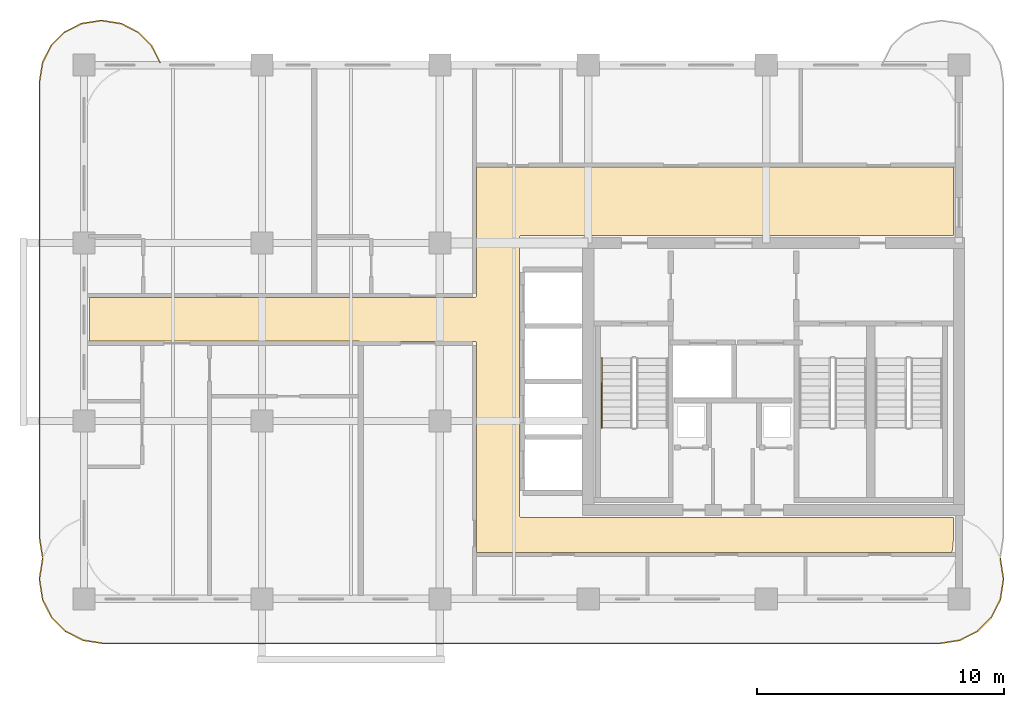
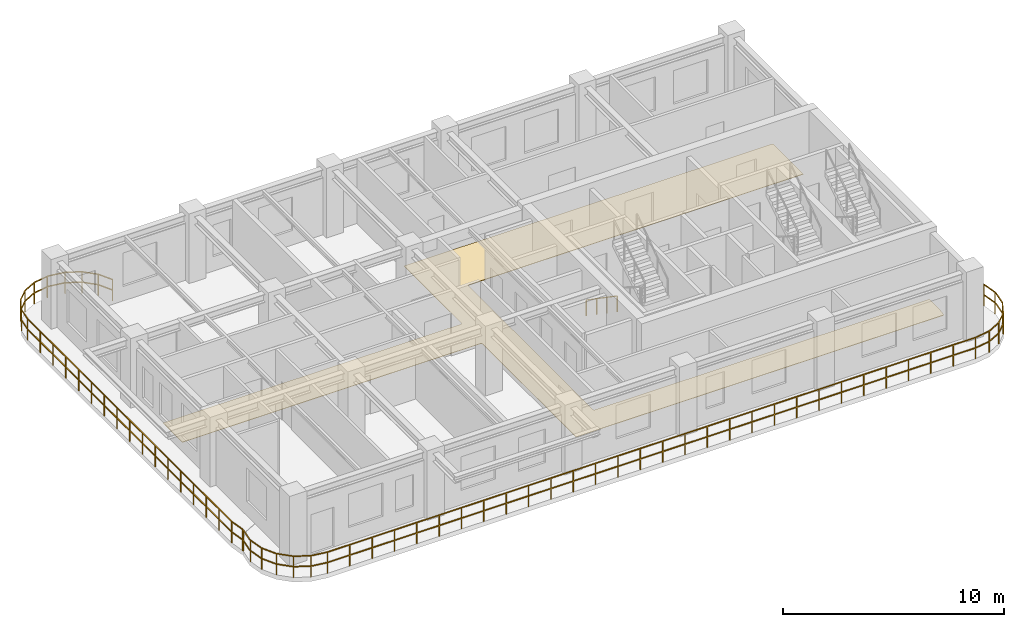
# One storey, part 6 of 7: 3 railings, 1 covering.
"""IFC4 building model written with IfcOpenShell, lengths in metres."""

from ifc_helpers import new_model, si_unit, derived_unit, direction, frame, origin, origin_2d, place, context, subcontext, project, spatial, polyline, rectangle, outline, extrude, material, layer, layer_set, type_object, element, save


model = new_model("IFC4")

# Units and contexts
model_context = context("Model", 3, precision=1e-05, world=origin(), true_north=direction((0.0, 1.0)))
body_context = subcontext(model_context, "Body", "Model", "MODEL_VIEW")
ifc_project = project(units=[si_unit("LENGTHUNIT", "METRE"), si_unit("AREAUNIT", "SQUARE_METRE"), si_unit("VOLUMEUNIT", "CUBIC_METRE"), si_unit("PLANEANGLEUNIT", "RADIAN"), si_unit("MASSUNIT", "GRAM", prefix="KILO"), si_unit("THERMODYNAMICTEMPERATUREUNIT", "KELVIN"), si_unit("POWERUNIT", "WATT"), derived_unit("THERMALTRANSMITTANCEUNIT", [(si_unit("POWERUNIT", "WATT"), 1), (si_unit("AREAUNIT", "SQUARE_METRE"), -1), (si_unit("THERMODYNAMICTEMPERATUREUNIT", "KELVIN"), -1)])], contexts=[model_context])

# Site, building, storey
site_placement = place(None, origin())
site = spatial("IfcSite", under=ifc_project, at=site_placement, CompositionType="ELEMENT")
building_placement = place(site_placement, origin())
building = spatial("IfcBuilding", under=site, at=building_placement, Name="Zahravan Archway Hotel and Residences", CompositionType="ELEMENT")
storey_placement = place(building_placement, frame((0.0, 0.0, 236.550048828125)))
storey = spatial("IfcBuildingStorey", under=building, at=storey_placement, Name="L59", CompositionType="ELEMENT", Elevation=236.550048828125)

# Covering
ifc_material_1 = material(Name="Engineered Walnut Parquet Flooring")
ifc_layer = layer(ifc_material_1, 0.02197265625, Name="Engineered Walnut Parquet Flooring")
ifc_layer_set = layer_set([ifc_layer], Name="Engineered Walnut Parquet Flooring")
covering_type = type_object("IfcCoveringType", Name="COV-FLR-TIMB", PredefinedType="FLOORING", material=ifc_layer_set)
covering_placement = place(storey_placement, origin())
element("IfcCovering", 1, at=covering_placement, inside=storey, type_object=covering_type, Name="L59 Circulation Floor Finish", PredefinedType="FLOORING", context=body_context, shape_type="SweptSolid", body=[
    extrude(outline(polyline([(30.215576171875, 12.19140625), (30.256591796875, 12.21337890625), (30.278564453125, 12.25439453125), (30.280029296875, 17.469970703125), (49.580078125, 17.469970703125), (49.580078125, 14.705078125), (32.10009765625, 14.705078125), (32.0556640625, 14.69140625), (32.026123046875, 14.655517578125), (32.02001953125, 3.375), (32.033447265625, 3.33056640625), (32.0693359375, 3.301025390625), (49.580078125, 3.294921875), (49.580078125, 2.410888671875), (49.537109375, 1.974853515625), (49.50830078125, 1.8798828125), (30.280029296875, 1.8798828125), (30.280029296875, 10.35009765625), (30.2666015625, 10.394287109375), (30.230712890625, 10.423828125), (14.6201171875, 10.429931640625), (14.6201171875, 12.18994140625), (30.199951171875, 12.18994140625), (30.215576171875, 12.19140625)])), origin(), (0.0, 0.0, 1.0), 0.02197265625),
])

# Railings
ifc_material_2 = material(Name="Bronze & Laminated Glass Balustrade", Category="glass")
railing_type_1 = type_object("IfcRailingType", Name="RL-BAL-1200", PredefinedType="BALUSTRADE", material=ifc_material_2)
railing_1_placement = place(storey_placement, frame((51.47509765625, 1.637939453125, 0.0)))
element("IfcRailing", 2, at=railing_1_placement, inside=storey, type_object=railing_type_1, Name="L59 Balustrade RL-SLB-BAL-L59-SA-1", PredefinedType="BALUSTRADE", context=body_context, shape_type="SweptSolid", body=[
    extrude(rectangle(XDim=0.048095703125, YDim=0.048095703125, at=origin_2d()), frame((0.0, 0.0, 1.17578125), z_axis=(0.156701202656, -0.987646056584, 0.0), x_axis=(0.987646056584, 0.156701202656, 0.0)), (0.0, 0.0, 1.0), 0.797607421875),
    extrude(rectangle(XDim=0.048095703125, YDim=0.048095703125, at=origin_2d()), frame((0.0, 0.0, 0.60009765625), z_axis=(0.156701202656, -0.987646056584, 0.0), x_axis=(0.987646056584, 0.156701202656, 0.0)), (0.0, 0.0, 1.0), 0.797607421875),
    extrude(rectangle(XDim=0.048095703125, YDim=0.048095703125, at=origin_2d()), frame((0.125, -0.787841796875, 1.17578125), z_axis=(0.0, -1.0, 0.0), x_axis=(1.0, 0.0, 0.0)), (0.0, 0.0, 1.0), 0.10009765625),
    extrude(rectangle(XDim=0.048095703125, YDim=0.048095703125, at=origin_2d()), frame((0.125, -0.787841796875, 0.60009765625), z_axis=(0.0, -1.0, 0.0), x_axis=(1.0, 0.0, 0.0)), (0.0, 0.0, 1.0), 0.10009765625),
    extrude(rectangle(XDim=0.048095703125, YDim=0.048095703125, at=origin_2d()), frame((0.125, -0.887939453125, 1.17578125), z_axis=(-0.156653849773, -0.98765356849, 0.0), x_axis=(0.98765356849, -0.156653849773, 0.0)), (0.0, 0.0, 1.0), 0.7978515625),
    extrude(rectangle(XDim=0.048095703125, YDim=0.048095703125, at=origin_2d()), frame((0.125, -0.887939453125, 0.60009765625), z_axis=(-0.156653849773, -0.98765356849, 0.0), x_axis=(0.98765356849, -0.156653849773, 0.0)), (0.0, 0.0, 1.0), 0.7978515625),
    extrude(rectangle(XDim=0.048095703125, YDim=0.048095703125, at=origin_2d()), frame((0.0, -1.676025390625, 1.17578125), z_axis=(-0.453934952053, -0.891034824967, 0.0), x_axis=(0.891034824967, -0.453934952053, 0.0)), (0.0, 0.0, 1.0), 0.797607421875),
    extrude(rectangle(XDim=0.048095703125, YDim=0.048095703125, at=origin_2d()), frame((0.0, -1.676025390625, 0.60009765625), z_axis=(-0.453934952053, -0.891034824967, 0.0), x_axis=(0.891034824967, -0.453934952053, 0.0)), (0.0, 0.0, 1.0), 0.797607421875),
    extrude(rectangle(XDim=0.048095703125, YDim=0.048095703125, at=origin_2d()), frame((-0.362060546875, -2.38671875, 1.17578125), z_axis=(-0.707106781187, -0.707106781187, 0.0), x_axis=(0.707106781187, -0.707106781187, 0.0)), (0.0, 0.0, 1.0), 0.7978515625),
    extrude(rectangle(XDim=0.048095703125, YDim=0.048095703125, at=origin_2d()), frame((-0.362060546875, -2.38671875, 0.60009765625), z_axis=(-0.707106781187, -0.707106781187, 0.0), x_axis=(0.707106781187, -0.707106781187, 0.0)), (0.0, 0.0, 1.0), 0.7978515625),
    extrude(rectangle(XDim=0.048095703125, YDim=0.048095703125, at=origin_2d()), frame((-0.92626953125, -2.950927734375, 1.17578125), z_axis=(-0.890974108706, -0.454054113091, 0.0), x_axis=(0.454054113091, -0.890974108706, 0.0)), (0.0, 0.0, 1.0), 0.7978515625),
    extrude(rectangle(XDim=0.048095703125, YDim=0.048095703125, at=origin_2d()), frame((-0.92626953125, -2.950927734375, 0.60009765625), z_axis=(-0.890974108706, -0.454054113091, 0.0), x_axis=(0.454054113091, -0.890974108706, 0.0)), (0.0, 0.0, 1.0), 0.7978515625),
    extrude(rectangle(XDim=0.048095703125, YDim=0.048095703125, at=origin_2d()), frame((-1.63720703125, -3.313232421875, 1.17578125), z_axis=(-0.987693380745, -0.156402639467, 0.0), x_axis=(0.156402639467, -0.987693380745, 0.0)), (0.0, 0.0, 1.0), 0.797607421875),
    extrude(rectangle(XDim=0.048095703125, YDim=0.048095703125, at=origin_2d()), frame((-1.63720703125, -3.313232421875, 0.60009765625), z_axis=(-0.987693380745, -0.156402639467, 0.0), x_axis=(0.156402639467, -0.987693380745, 0.0)), (0.0, 0.0, 1.0), 0.797607421875),
    extrude(rectangle(XDim=0.048095703125, YDim=0.048095703125, at=origin_2d()), frame((-2.425048828125, -3.43798828125, 1.17578125), z_axis=(-1.0, 0.0, 0.0), x_axis=(0.0, -1.0, 0.0)), (0.0, 0.0, 1.0), 33.900146484375),
    extrude(rectangle(XDim=0.048095703125, YDim=0.048095703125, at=origin_2d()), frame((-2.425048828125, -3.43798828125, 0.60009765625), z_axis=(-1.0, 0.0, 0.0), x_axis=(0.0, -1.0, 0.0)), (0.0, 0.0, 1.0), 33.900146484375),
    extrude(rectangle(XDim=0.048095703125, YDim=0.048095703125, at=origin_2d()), frame((-36.3251953125, -3.43798828125, 1.17578125), z_axis=(-0.987693380745, 0.156402639467, 0.0), x_axis=(-0.156402639467, -0.987693380745, 0.0)), (0.0, 0.0, 1.0), 0.797607421875),
    extrude(rectangle(XDim=0.048095703125, YDim=0.048095703125, at=origin_2d()), frame((-36.3251953125, -3.43798828125, 0.60009765625), z_axis=(-0.987693380745, 0.156402639467, 0.0), x_axis=(-0.156402639467, -0.987693380745, 0.0)), (0.0, 0.0, 1.0), 0.797607421875),
    extrude(rectangle(XDim=0.048095703125, YDim=0.048095703125, at=origin_2d()), frame((-37.113037109375, -3.313232421875, 1.17578125), z_axis=(-0.890974108706, 0.454054113091, 0.0), x_axis=(-0.454054113091, -0.890974108706, 0.0)), (0.0, 0.0, 1.0), 0.7978515625),
    extrude(rectangle(XDim=0.048095703125, YDim=0.048095703125, at=origin_2d()), frame((-37.113037109375, -3.313232421875, 0.60009765625), z_axis=(-0.890974108706, 0.454054113091, 0.0), x_axis=(-0.454054113091, -0.890974108706, 0.0)), (0.0, 0.0, 1.0), 0.7978515625),
    extrude(rectangle(XDim=0.048095703125, YDim=0.048095703125, at=origin_2d()), frame((-37.823974609375, -2.950927734375, 1.17578125), z_axis=(-0.707106781187, 0.707106781187, 0.0), x_axis=(-0.707106781187, -0.707106781187, 0.0)), (0.0, 0.0, 1.0), 0.7978515625),
    extrude(rectangle(XDim=0.048095703125, YDim=0.048095703125, at=origin_2d()), frame((-37.823974609375, -2.950927734375, 0.60009765625), z_axis=(-0.707106781187, 0.707106781187, 0.0), x_axis=(-0.707106781187, -0.707106781187, 0.0)), (0.0, 0.0, 1.0), 0.7978515625),
    extrude(rectangle(XDim=0.048095703125, YDim=0.048095703125, at=origin_2d()), frame((-38.38818359375, -2.38671875, 1.17578125), z_axis=(-0.453934952053, 0.891034824967, 0.0), x_axis=(-0.891034824967, -0.453934952053, 0.0)), (0.0, 0.0, 1.0), 0.797607421875),
    extrude(rectangle(XDim=0.048095703125, YDim=0.048095703125, at=origin_2d()), frame((-38.38818359375, -2.38671875, 0.60009765625), z_axis=(-0.453934952053, 0.891034824967, 0.0), x_axis=(-0.891034824967, -0.453934952053, 0.0)), (0.0, 0.0, 1.0), 0.797607421875),
    extrude(rectangle(XDim=0.048095703125, YDim=0.048095703125, at=origin_2d()), frame((-38.750244140625, -1.676025390625, 1.17578125), z_axis=(-0.156355372278, 0.987700864412, 0.0), x_axis=(-0.987700864412, -0.156355372278, 0.0)), (0.0, 0.0, 1.0), 0.7978515625),
    extrude(rectangle(XDim=0.048095703125, YDim=0.048095703125, at=origin_2d()), frame((-38.750244140625, -1.676025390625, 0.60009765625), z_axis=(-0.156355372278, 0.987700864412, 0.0), x_axis=(-0.987700864412, -0.156355372278, 0.0)), (0.0, 0.0, 1.0), 0.7978515625),
    extrude(rectangle(XDim=0.048095703125, YDim=0.048095703125, at=origin_2d()), frame((-38.875, -0.887939453125, 1.17578125), z_axis=(0.0, 1.0, 0.0), x_axis=(-1.0, 0.0, 0.0)), (0.0, 0.0, 1.0), 0.10009765625),
    extrude(rectangle(XDim=0.048095703125, YDim=0.048095703125, at=origin_2d()), frame((-38.875, -0.887939453125, 0.60009765625), z_axis=(0.0, 1.0, 0.0), x_axis=(-1.0, 0.0, 0.0)), (0.0, 0.0, 1.0), 0.10009765625),
    extrude(rectangle(XDim=0.048095703125, YDim=0.048095703125, at=origin_2d()), frame((-38.875, -0.787841796875, 1.17578125), z_axis=(0.156402639467, 0.987693380745, 0.0), x_axis=(-0.987693380745, 0.156402639467, 0.0)), (0.0, 0.0, 1.0), 0.797607421875),
    extrude(rectangle(XDim=0.048095703125, YDim=0.048095703125, at=origin_2d()), frame((-38.875, -0.787841796875, 0.60009765625), z_axis=(0.156402639467, 0.987693380745, 0.0), x_axis=(-0.987693380745, 0.156402639467, 0.0)), (0.0, 0.0, 1.0), 0.797607421875),
    extrude(rectangle(XDim=0.0419921875, YDim=0.0419921875, at=origin_2d()), origin(), (0.0, 0.0, 1.0), 1.15185546875),
    extrude(rectangle(XDim=0.0419921875, YDim=0.0419921875, at=origin_2d()), frame((0.125, -0.787841796875, 0.0)), (0.0, 0.0, 1.0), 1.15185546875),
    extrude(rectangle(XDim=0.0419921875, YDim=0.0419921875, at=origin_2d()), frame((0.0, -1.676025390625, 0.0)), (0.0, 0.0, 1.0), 1.15185546875),
    extrude(rectangle(XDim=0.0419921875, YDim=0.0419921875, at=origin_2d()), frame((-0.362060546875, -2.38671875, 0.0)), (0.0, 0.0, 1.0), 1.15185546875),
    extrude(rectangle(XDim=0.0419921875, YDim=0.0419921875, at=origin_2d()), frame((-0.92626953125, -2.950927734375, 0.0)), (0.0, 0.0, 1.0), 1.15185546875),
    extrude(rectangle(XDim=0.0419921875, YDim=0.0419921875, at=origin_2d()), frame((-1.63720703125, -3.313232421875, 0.0)), (0.0, 0.0, 1.0), 1.15185546875),
    extrude(rectangle(XDim=0.0419921875, YDim=0.0419921875, at=origin_2d()), frame((-2.425048828125, -3.43798828125, 0.0)), (0.0, 0.0, 1.0), 1.15185546875),
    extrude(rectangle(XDim=0.0419921875, YDim=0.0419921875, at=origin_2d()), frame((-3.593994140625, -3.43798828125, 0.0)), (0.0, 0.0, 1.0), 1.15185546875),
    extrude(rectangle(XDim=0.0419921875, YDim=0.0419921875, at=origin_2d()), frame((-4.762939453125, -3.43798828125, 0.0)), (0.0, 0.0, 1.0), 1.15185546875),
    extrude(rectangle(XDim=0.0419921875, YDim=0.0419921875, at=origin_2d()), frame((-5.931884765625, -3.43798828125, 0.0)), (0.0, 0.0, 1.0), 1.15185546875),
    extrude(rectangle(XDim=0.0419921875, YDim=0.0419921875, at=origin_2d()), frame((-7.100830078125, -3.43798828125, 0.0)), (0.0, 0.0, 1.0), 1.15185546875),
    extrude(rectangle(XDim=0.0419921875, YDim=0.0419921875, at=origin_2d()), frame((-8.27001953125, -3.43798828125, 0.0)), (0.0, 0.0, 1.0), 1.15185546875),
    extrude(rectangle(XDim=0.0419921875, YDim=0.0419921875, at=origin_2d()), frame((-9.43896484375, -3.43798828125, 0.0)), (0.0, 0.0, 1.0), 1.15185546875),
    extrude(rectangle(XDim=0.0419921875, YDim=0.0419921875, at=origin_2d()), frame((-10.60791015625, -3.43798828125, 0.0)), (0.0, 0.0, 1.0), 1.15185546875),
    extrude(rectangle(XDim=0.0419921875, YDim=0.0419921875, at=origin_2d()), frame((-11.77685546875, -3.43798828125, 0.0)), (0.0, 0.0, 1.0), 1.15185546875),
    extrude(rectangle(XDim=0.0419921875, YDim=0.0419921875, at=origin_2d()), frame((-12.94580078125, -3.43798828125, 0.0)), (0.0, 0.0, 1.0), 1.15185546875),
    extrude(rectangle(XDim=0.0419921875, YDim=0.0419921875, at=origin_2d()), frame((-14.11474609375, -3.43798828125, 0.0)), (0.0, 0.0, 1.0), 1.15185546875),
    extrude(rectangle(XDim=0.0419921875, YDim=0.0419921875, at=origin_2d()), frame((-15.28369140625, -3.43798828125, 0.0)), (0.0, 0.0, 1.0), 1.15185546875),
    extrude(rectangle(XDim=0.0419921875, YDim=0.0419921875, at=origin_2d()), frame((-16.45263671875, -3.43798828125, 0.0)), (0.0, 0.0, 1.0), 1.15185546875),
    extrude(rectangle(XDim=0.0419921875, YDim=0.0419921875, at=origin_2d()), frame((-17.62158203125, -3.43798828125, 0.0)), (0.0, 0.0, 1.0), 1.15185546875),
    extrude(rectangle(XDim=0.0419921875, YDim=0.0419921875, at=origin_2d()), frame((-18.79052734375, -3.43798828125, 0.0)), (0.0, 0.0, 1.0), 1.15185546875),
    extrude(rectangle(XDim=0.0419921875, YDim=0.0419921875, at=origin_2d()), frame((-19.959716796875, -3.43798828125, 0.0)), (0.0, 0.0, 1.0), 1.15185546875),
    extrude(rectangle(XDim=0.0419921875, YDim=0.0419921875, at=origin_2d()), frame((-21.128662109375, -3.43798828125, 0.0)), (0.0, 0.0, 1.0), 1.15185546875),
    extrude(rectangle(XDim=0.0419921875, YDim=0.0419921875, at=origin_2d()), frame((-22.297607421875, -3.43798828125, 0.0)), (0.0, 0.0, 1.0), 1.15185546875),
    extrude(rectangle(XDim=0.0419921875, YDim=0.0419921875, at=origin_2d()), frame((-23.466552734375, -3.43798828125, 0.0)), (0.0, 0.0, 1.0), 1.15185546875),
    extrude(rectangle(XDim=0.0419921875, YDim=0.0419921875, at=origin_2d()), frame((-24.635498046875, -3.43798828125, 0.0)), (0.0, 0.0, 1.0), 1.15185546875),
    extrude(rectangle(XDim=0.0419921875, YDim=0.0419921875, at=origin_2d()), frame((-25.804443359375, -3.43798828125, 0.0)), (0.0, 0.0, 1.0), 1.15185546875),
    extrude(rectangle(XDim=0.0419921875, YDim=0.0419921875, at=origin_2d()), frame((-26.973388671875, -3.43798828125, 0.0)), (0.0, 0.0, 1.0), 1.15185546875),
    extrude(rectangle(XDim=0.0419921875, YDim=0.0419921875, at=origin_2d()), frame((-28.142333984375, -3.43798828125, 0.0)), (0.0, 0.0, 1.0), 1.15185546875),
    extrude(rectangle(XDim=0.0419921875, YDim=0.0419921875, at=origin_2d()), frame((-29.311279296875, -3.43798828125, 0.0)), (0.0, 0.0, 1.0), 1.15185546875),
    extrude(rectangle(XDim=0.0419921875, YDim=0.0419921875, at=origin_2d()), frame((-30.480224609375, -3.43798828125, 0.0)), (0.0, 0.0, 1.0), 1.15185546875),
    extrude(rectangle(XDim=0.0419921875, YDim=0.0419921875, at=origin_2d()), frame((-31.6494140625, -3.43798828125, 0.0)), (0.0, 0.0, 1.0), 1.15185546875),
    extrude(rectangle(XDim=0.0419921875, YDim=0.0419921875, at=origin_2d()), frame((-32.818359375, -3.43798828125, 0.0)), (0.0, 0.0, 1.0), 1.15185546875),
    extrude(rectangle(XDim=0.0419921875, YDim=0.0419921875, at=origin_2d()), frame((-33.9873046875, -3.43798828125, 0.0)), (0.0, 0.0, 1.0), 1.15185546875),
    extrude(rectangle(XDim=0.0419921875, YDim=0.0419921875, at=origin_2d()), frame((-35.15625, -3.43798828125, 0.0)), (0.0, 0.0, 1.0), 1.15185546875),
    extrude(rectangle(XDim=0.0419921875, YDim=0.0419921875, at=origin_2d()), frame((-36.3251953125, -3.43798828125, 0.0)), (0.0, 0.0, 1.0), 1.15185546875),
    extrude(rectangle(XDim=0.0419921875, YDim=0.0419921875, at=origin_2d()), frame((-37.113037109375, -3.313232421875, 0.0)), (0.0, 0.0, 1.0), 1.15185546875),
    extrude(rectangle(XDim=0.0419921875, YDim=0.0419921875, at=origin_2d()), frame((-37.823974609375, -2.950927734375, 0.0)), (0.0, 0.0, 1.0), 1.15185546875),
    extrude(rectangle(XDim=0.0419921875, YDim=0.0419921875, at=origin_2d()), frame((-38.38818359375, -2.38671875, 0.0)), (0.0, 0.0, 1.0), 1.15185546875),
    extrude(rectangle(XDim=0.0419921875, YDim=0.0419921875, at=origin_2d()), frame((-38.750244140625, -1.676025390625, 0.0)), (0.0, 0.0, 1.0), 1.15185546875),
    extrude(rectangle(XDim=0.0419921875, YDim=0.0419921875, at=origin_2d()), frame((-38.875, -0.887939453125, 0.0)), (0.0, 0.0, 1.0), 1.15185546875),
    extrude(rectangle(XDim=0.0419921875, YDim=0.0419921875, at=origin_2d()), frame((-38.750244140625, 0.0, 0.0)), (0.0, 0.0, 1.0), 1.15185546875),
])
railing_2_placement = place(storey_placement, frame((12.719970703125, 1.69287109375, 0.0)))
element("IfcRailing", 3, at=railing_2_placement, inside=storey, type_object=railing_type_1, Name="L59 Balustrade RL-SLB-BAL-L59-WA-1", PredefinedType="BALUSTRADE", context=body_context, shape_type="SweptSolid", body=[
    extrude(rectangle(XDim=0.048095703125, YDim=0.048095703125, at=origin_2d()), frame((0.0, 0.0, 1.17578125), z_axis=(-0.156387811283, 0.987695728695, 0.0), x_axis=(-0.987695728695, -0.156387811283, 0.0)), (0.0, 0.0, 1.0), 0.7666015625),
    extrude(rectangle(XDim=0.048095703125, YDim=0.048095703125, at=origin_2d()), frame((0.0, 0.0, 0.60009765625), z_axis=(-0.156387811283, 0.987695728695, 0.0), x_axis=(-0.987695728695, -0.156387811283, 0.0)), (0.0, 0.0, 1.0), 0.7666015625),
    extrude(rectangle(XDim=0.048095703125, YDim=0.048095703125, at=origin_2d()), frame((-0.119873046875, 0.757080078125, 1.17578125), z_axis=(0.0, 1.0, 0.0), x_axis=(-1.0, 0.0, 0.0)), (0.0, 0.0, 1.0), 18.5),
    extrude(rectangle(XDim=0.048095703125, YDim=0.048095703125, at=origin_2d()), frame((-0.119873046875, 0.757080078125, 0.60009765625), z_axis=(0.0, 1.0, 0.0), x_axis=(-1.0, 0.0, 0.0)), (0.0, 0.0, 1.0), 18.5),
    extrude(rectangle(XDim=0.048095703125, YDim=0.048095703125, at=origin_2d()), frame((-0.119873046875, 19.257080078125, 1.17578125), z_axis=(0.156387811283, 0.987695728695, 0.0), x_axis=(-0.987695728695, 0.156387811283, 0.0)), (0.0, 0.0, 1.0), 0.7666015625),
    extrude(rectangle(XDim=0.048095703125, YDim=0.048095703125, at=origin_2d()), frame((-0.119873046875, 19.257080078125, 0.60009765625), z_axis=(0.156387811283, 0.987695728695, 0.0), x_axis=(-0.987695728695, 0.156387811283, 0.0)), (0.0, 0.0, 1.0), 0.7666015625),
    extrude(rectangle(XDim=0.048095703125, YDim=0.048095703125, at=origin_2d()), frame((0.0, 20.01416015625, 1.17578125), z_axis=(0.453825591531, 0.891090529897, 0.0), x_axis=(-0.891090529897, 0.453825591531, 0.0)), (0.0, 0.0, 1.0), 0.7666015625),
    extrude(rectangle(XDim=0.048095703125, YDim=0.048095703125, at=origin_2d()), frame((0.0, 20.01416015625, 0.60009765625), z_axis=(0.453825591531, 0.891090529897, 0.0), x_axis=(-0.891090529897, 0.453825591531, 0.0)), (0.0, 0.0, 1.0), 0.7666015625),
    extrude(rectangle(XDim=0.048095703125, YDim=0.048095703125, at=origin_2d()), frame((0.347900390625, 20.697265625, 1.17578125), z_axis=(0.707106781187, 0.707106781187, 0.0), x_axis=(-0.707106781187, 0.707106781187, 0.0)), (0.0, 0.0, 1.0), 0.7666015625),
    extrude(rectangle(XDim=0.048095703125, YDim=0.048095703125, at=origin_2d()), frame((0.347900390625, 20.697265625, 0.60009765625), z_axis=(0.707106781187, 0.707106781187, 0.0), x_axis=(-0.707106781187, 0.707106781187, 0.0)), (0.0, 0.0, 1.0), 0.7666015625),
    extrude(rectangle(XDim=0.048095703125, YDim=0.048095703125, at=origin_2d()), frame((0.889892578125, 21.2392578125, 1.17578125), z_axis=(0.891090529897, 0.453825591531, 0.0), x_axis=(-0.453825591531, 0.891090529897, 0.0)), (0.0, 0.0, 1.0), 0.7666015625),
    extrude(rectangle(XDim=0.048095703125, YDim=0.048095703125, at=origin_2d()), frame((0.889892578125, 21.2392578125, 0.60009765625), z_axis=(0.891090529897, 0.453825591531, 0.0), x_axis=(-0.453825591531, 0.891090529897, 0.0)), (0.0, 0.0, 1.0), 0.7666015625),
    extrude(rectangle(XDim=0.048095703125, YDim=0.048095703125, at=origin_2d()), frame((1.572998046875, 21.587158203125, 1.17578125), z_axis=(0.987695728695, 0.156387811283, 0.0), x_axis=(-0.156387811283, 0.987695728695, 0.0)), (0.0, 0.0, 1.0), 0.7666015625),
    extrude(rectangle(XDim=0.048095703125, YDim=0.048095703125, at=origin_2d()), frame((1.572998046875, 21.587158203125, 0.60009765625), z_axis=(0.987695728695, 0.156387811283, 0.0), x_axis=(-0.156387811283, 0.987695728695, 0.0)), (0.0, 0.0, 1.0), 0.7666015625),
    extrude(rectangle(XDim=0.048095703125, YDim=0.048095703125, at=origin_2d()), frame((2.330078125, 21.70703125, 1.17578125), z_axis=(1.0, 0.0, 0.0), x_axis=(0.0, 1.0, 0.0)), (0.0, 0.0, 1.0), 0.099853515625),
    extrude(rectangle(XDim=0.048095703125, YDim=0.048095703125, at=origin_2d()), frame((2.330078125, 21.70703125, 0.60009765625), z_axis=(1.0, 0.0, 0.0), x_axis=(0.0, 1.0, 0.0)), (0.0, 0.0, 1.0), 0.099853515625),
    extrude(rectangle(XDim=0.048095703125, YDim=0.048095703125, at=origin_2d()), frame((2.429931640625, 21.70703125, 1.17578125), z_axis=(0.987695728695, -0.156387811283, 0.0), x_axis=(0.156387811283, 0.987695728695, 0.0)), (0.0, 0.0, 1.0), 0.7666015625),
    extrude(rectangle(XDim=0.048095703125, YDim=0.048095703125, at=origin_2d()), frame((2.429931640625, 21.70703125, 0.60009765625), z_axis=(0.987695728695, -0.156387811283, 0.0), x_axis=(0.156387811283, 0.987695728695, 0.0)), (0.0, 0.0, 1.0), 0.7666015625),
    extrude(rectangle(XDim=0.048095703125, YDim=0.048095703125, at=origin_2d()), frame((3.18701171875, 21.587158203125, 1.17578125), z_axis=(0.891090529897, -0.453825591531, 0.0), x_axis=(0.453825591531, 0.891090529897, 0.0)), (0.0, 0.0, 1.0), 0.7666015625),
    extrude(rectangle(XDim=0.048095703125, YDim=0.048095703125, at=origin_2d()), frame((3.18701171875, 21.587158203125, 0.60009765625), z_axis=(0.891090529897, -0.453825591531, 0.0), x_axis=(0.453825591531, 0.891090529897, 0.0)), (0.0, 0.0, 1.0), 0.7666015625),
    extrude(rectangle(XDim=0.048095703125, YDim=0.048095703125, at=origin_2d()), frame((3.8701171875, 21.2392578125, 1.17578125), z_axis=(0.707106781187, -0.707106781187, 0.0), x_axis=(0.707106781187, 0.707106781187, 0.0)), (0.0, 0.0, 1.0), 0.7666015625),
    extrude(rectangle(XDim=0.048095703125, YDim=0.048095703125, at=origin_2d()), frame((3.8701171875, 21.2392578125, 0.60009765625), z_axis=(0.707106781187, -0.707106781187, 0.0), x_axis=(0.707106781187, 0.707106781187, 0.0)), (0.0, 0.0, 1.0), 0.7666015625),
    extrude(rectangle(XDim=0.048095703125, YDim=0.048095703125, at=origin_2d()), frame((4.412109375, 20.697265625, 1.17578125), z_axis=(0.453825591531, -0.891090529897, 0.0), x_axis=(0.891090529897, 0.453825591531, 0.0)), (0.0, 0.0, 1.0), 0.7666015625),
    extrude(rectangle(XDim=0.048095703125, YDim=0.048095703125, at=origin_2d()), frame((4.412109375, 20.697265625, 0.60009765625), z_axis=(0.453825591531, -0.891090529897, 0.0), x_axis=(0.891090529897, 0.453825591531, 0.0)), (0.0, 0.0, 1.0), 0.7666015625),
    extrude(rectangle(XDim=0.0419921875, YDim=0.0419921875, at=origin_2d()), origin(), (0.0, 0.0, 1.0), 1.15185546875),
    extrude(rectangle(XDim=0.0419921875, YDim=0.0419921875, at=origin_2d()), frame((-0.119873046875, 0.757080078125, 0.0)), (0.0, 0.0, 1.0), 1.15185546875),
    extrude(rectangle(XDim=0.0419921875, YDim=0.0419921875, at=origin_2d()), frame((-0.119873046875, 1.913330078125, 0.0)), (0.0, 0.0, 1.0), 1.15185546875),
    extrude(rectangle(XDim=0.0419921875, YDim=0.0419921875, at=origin_2d()), frame((-0.119873046875, 3.069580078125, 0.0)), (0.0, 0.0, 1.0), 1.15185546875),
    extrude(rectangle(XDim=0.0419921875, YDim=0.0419921875, at=origin_2d()), frame((-0.119873046875, 4.225830078125, 0.0)), (0.0, 0.0, 1.0), 1.15185546875),
    extrude(rectangle(XDim=0.0419921875, YDim=0.0419921875, at=origin_2d()), frame((-0.119873046875, 5.382080078125, 0.0)), (0.0, 0.0, 1.0), 1.15185546875),
    extrude(rectangle(XDim=0.0419921875, YDim=0.0419921875, at=origin_2d()), frame((-0.119873046875, 6.538330078125, 0.0)), (0.0, 0.0, 1.0), 1.15185546875),
    extrude(rectangle(XDim=0.0419921875, YDim=0.0419921875, at=origin_2d()), frame((-0.119873046875, 7.694580078125, 0.0)), (0.0, 0.0, 1.0), 1.15185546875),
    extrude(rectangle(XDim=0.0419921875, YDim=0.0419921875, at=origin_2d()), frame((-0.119873046875, 8.850830078125, 0.0)), (0.0, 0.0, 1.0), 1.15185546875),
    extrude(rectangle(XDim=0.0419921875, YDim=0.0419921875, at=origin_2d()), frame((-0.119873046875, 10.007080078125, 0.0)), (0.0, 0.0, 1.0), 1.15185546875),
    extrude(rectangle(XDim=0.0419921875, YDim=0.0419921875, at=origin_2d()), frame((-0.119873046875, 11.163330078125, 0.0)), (0.0, 0.0, 1.0), 1.15185546875),
    extrude(rectangle(XDim=0.0419921875, YDim=0.0419921875, at=origin_2d()), frame((-0.119873046875, 12.319580078125, 0.0)), (0.0, 0.0, 1.0), 1.15185546875),
    extrude(rectangle(XDim=0.0419921875, YDim=0.0419921875, at=origin_2d()), frame((-0.119873046875, 13.475830078125, 0.0)), (0.0, 0.0, 1.0), 1.15185546875),
    extrude(rectangle(XDim=0.0419921875, YDim=0.0419921875, at=origin_2d()), frame((-0.119873046875, 14.632080078125, 0.0)), (0.0, 0.0, 1.0), 1.15185546875),
    extrude(rectangle(XDim=0.0419921875, YDim=0.0419921875, at=origin_2d()), frame((-0.119873046875, 15.788330078125, 0.0)), (0.0, 0.0, 1.0), 1.15185546875),
    extrude(rectangle(XDim=0.0419921875, YDim=0.0419921875, at=origin_2d()), frame((-0.119873046875, 16.944580078125, 0.0)), (0.0, 0.0, 1.0), 1.15185546875),
    extrude(rectangle(XDim=0.0419921875, YDim=0.0419921875, at=origin_2d()), frame((-0.119873046875, 18.100830078125, 0.0)), (0.0, 0.0, 1.0), 1.15185546875),
    extrude(rectangle(XDim=0.0419921875, YDim=0.0419921875, at=origin_2d()), frame((-0.119873046875, 19.257080078125, 0.0)), (0.0, 0.0, 1.0), 1.15185546875),
    extrude(rectangle(XDim=0.0419921875, YDim=0.0419921875, at=origin_2d()), frame((0.0, 20.01416015625, 0.0)), (0.0, 0.0, 1.0), 1.15185546875),
    extrude(rectangle(XDim=0.0419921875, YDim=0.0419921875, at=origin_2d()), frame((0.347900390625, 20.697265625, 0.0)), (0.0, 0.0, 1.0), 1.15185546875),
    extrude(rectangle(XDim=0.0419921875, YDim=0.0419921875, at=origin_2d()), frame((0.889892578125, 21.2392578125, 0.0)), (0.0, 0.0, 1.0), 1.15185546875),
    extrude(rectangle(XDim=0.0419921875, YDim=0.0419921875, at=origin_2d()), frame((1.572998046875, 21.587158203125, 0.0)), (0.0, 0.0, 1.0), 1.15185546875),
    extrude(rectangle(XDim=0.0419921875, YDim=0.0419921875, at=origin_2d()), frame((2.330078125, 21.70703125, 0.0)), (0.0, 0.0, 1.0), 1.15185546875),
    extrude(rectangle(XDim=0.0419921875, YDim=0.0419921875, at=origin_2d()), frame((3.18701171875, 21.587158203125, 0.0)), (0.0, 0.0, 1.0), 1.15185546875),
    extrude(rectangle(XDim=0.0419921875, YDim=0.0419921875, at=origin_2d()), frame((3.8701171875, 21.2392578125, 0.0)), (0.0, 0.0, 1.0), 1.15185546875),
    extrude(rectangle(XDim=0.0419921875, YDim=0.0419921875, at=origin_2d()), frame((4.412109375, 20.697265625, 0.0)), (0.0, 0.0, 1.0), 1.15185546875),
    extrude(rectangle(XDim=0.0419921875, YDim=0.0419921875, at=origin_2d()), frame((4.760009765625, 20.01416015625, 0.0)), (0.0, 0.0, 1.0), 1.15185546875),
])
ifc_material_3 = material(Name="Brushed Stainless Steel", Category="steel")
railing_type_2 = type_object("IfcRailingType", Name="RL-STH-900", PredefinedType="HANDRAIL", material=ifc_material_3)
railing_3_placement = place(storey_placement, frame((35.35009765625, 9.72998046875, 0.175048828125)))
element("IfcRailing", 4, at=railing_3_placement, inside=storey, type_object=railing_type_2, Name="L59 ST-A1 stair handrail 1", PredefinedType="HANDRAIL", context=body_context, shape_type="SweptSolid", body=[
    extrude(rectangle(XDim=0.048095703125, YDim=0.048095703125, at=origin_2d()), frame((0.0, 0.0, 0.8759765625), z_axis=(0.0, -0.824073370198, 0.566483080534), x_axis=(1.0, 0.0, 0.0)), (0.0, 0.0, 1.0), 3.397705078125),
    extrude(rectangle(XDim=0.0419921875, YDim=0.0419921875, at=origin_2d()), origin(), (0.0, 0.0, 1.0), 0.851806640625),
    extrude(rectangle(XDim=0.0419921875, YDim=0.0419921875, at=origin_2d()), frame((0.0, -0.933349609375, 0.6416015625)), (0.0, 0.0, 1.0), 0.851806640625),
    extrude(rectangle(XDim=0.0419921875, YDim=0.0419921875, at=origin_2d()), frame((0.0, -1.86669921875, 1.283203125)), (0.0, 0.0, 1.0), 0.851806640625),
    extrude(rectangle(XDim=0.0419921875, YDim=0.0419921875, at=origin_2d()), frame((0.0, -2.800048828125, 1.9248046875)), (0.0, 0.0, 1.0), 0.851806640625),
])

save(model, "model.ifc")
